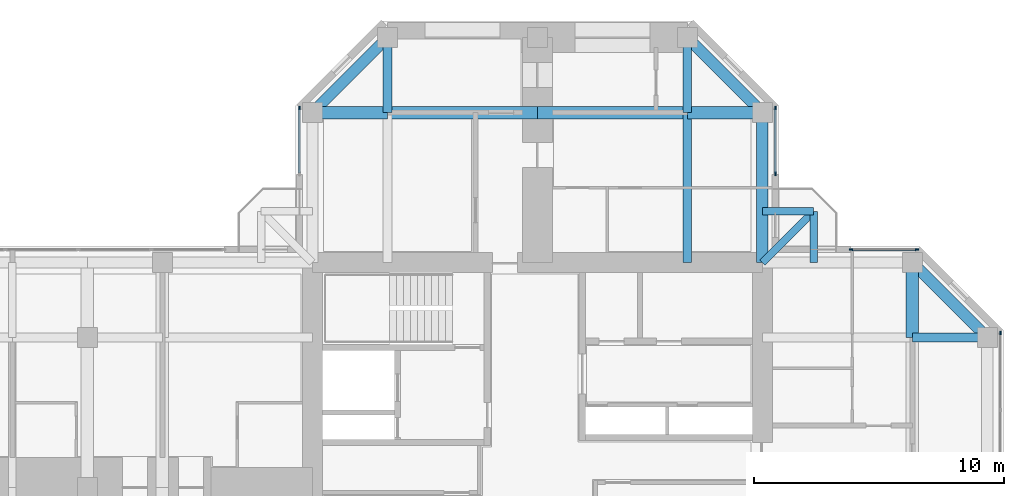
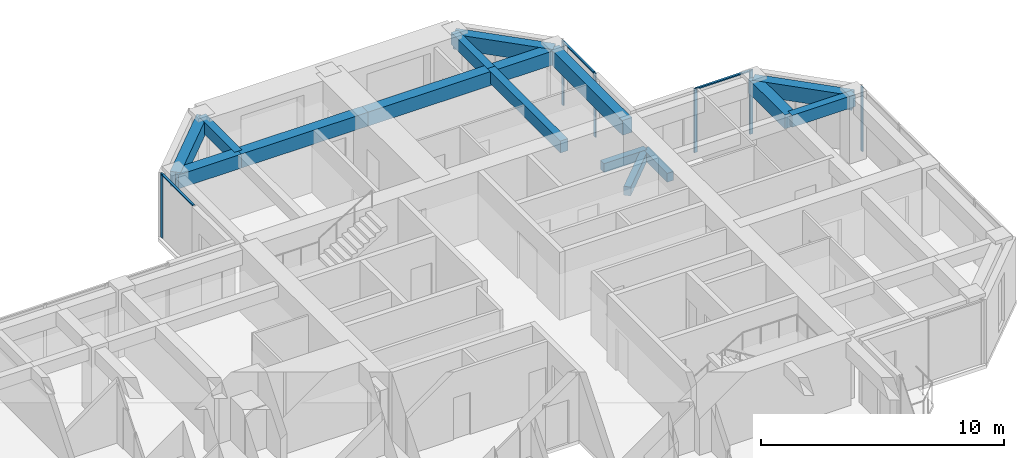
# One storey, part 6 of 13: 16 beams, 9 members, 4 elements without a shape of their own.
"""IFC4 building model written with IfcOpenShell, lengths in metres."""

from ifc_helpers import new_model, si_unit, direction, frame, origin, origin_2d, place, context, subcontext, project, spatial, rectangle, extrude, material, material_profile, profile_set, type_object, element, aggregate, save


model = new_model("IFC4")

# Units and contexts
model_context = context("Model", 3, precision=1e-05, world=origin(), true_north=direction((0.0, 1.0)))
body_context = subcontext(model_context, "Body", "Model", "MODEL_VIEW")
ifc_project = project(units=[si_unit("LENGTHUNIT", "METRE"), si_unit("AREAUNIT", "SQUARE_METRE"), si_unit("VOLUMEUNIT", "CUBIC_METRE"), si_unit("PLANEANGLEUNIT", "RADIAN"), si_unit("MASSUNIT", "GRAM", prefix="KILO")], contexts=[model_context])

# Site, building, storey
site_placement = place(None, origin())
site = spatial("IfcSite", under=ifc_project, at=site_placement, CompositionType="ELEMENT")
building_placement = place(site_placement, origin())
building = spatial("IfcBuilding", under=site, at=building_placement, Name="Torre Cruceta", CompositionType="ELEMENT")
storey_placement = place(building_placement, frame((0.0, 0.0, 245.89990234375)))
storey = spatial("IfcBuildingStorey", under=building, at=storey_placement, Name="L63", CompositionType="ELEMENT", Elevation=245.89990234375)

# Beams
ifc_material_1 = material(Name="Concrete G60 (fck 60 MPa)", Category="concrete")
ifc_material_profile_1 = material_profile(ifc_material_1, rectangle(XDim=0.300048828125, YDim=0.449951171875, at=origin_2d()), Name="RC 300X450")
ifc_profile_set_1 = profile_set([ifc_material_profile_1], Name="Concrete G60 (fck 60 MPa)")
beam_type_1 = type_object("IfcBeamType", Name="BALCONY CANTILEVER BEAM RC 300X450", PredefinedType="BEAM", material=ifc_profile_set_1)
beam_1_placement = place(storey_placement, frame((9.0, 9.0, -0.40478515625), z_axis=(0.707106781187, 0.707106781187, 0.0), x_axis=(-0.707106781187, 0.707106781187, 0.0)))
element("IfcBeam", 1, at=beam_1_placement, inside=storey, type_object=beam_type_1, Name="BB1 balcony beam L63 E", PredefinedType="BEAM", context=body_context, shape_type="SweptSolid", body=[
    extrude(rectangle(XDim=0.300048828125, YDim=0.449951171875, at=origin_2d()), origin(), (0.0, 0.0, 1.0), 2.89990234375),
])
for number, where, z_axis, x_axis, name in (
    (2, (11.050537109375, 9.0, -0.40478515625), (0.0, 1.0, 0.0), (-1.0, 0.0, 0.0), "BB1 balcony edge beam L63 E-X"),
    (3, (9.0, 11.050537109375, -0.40478515625), (1.0, 0.0, 0.0), (0.0, 1.0, 0.0), "BB1 balcony edge beam L63 E-Y"),
):
    element("IfcBeam", number, at=place(storey_placement, frame(where, z_axis=z_axis, x_axis=x_axis)), inside=storey, type_object=beam_type_1, Name=name, PredefinedType="BEAM", context=body_context, shape_type="SweptSolid", body=[
        extrude(rectangle(XDim=0.300048828125, YDim=0.449951171875, at=origin_2d()), origin(), (0.0, 0.0, 1.0), 2.050537109375),
    ])
ifc_material_2 = material(Name="Concrete G60 (fck 60 MPa)", Category="concrete")
ifc_material_profile_2 = material_profile(ifc_material_2, rectangle(XDim=0.35009765625, YDim=0.60009765625, at=origin_2d()), Name="RC 350X600")
ifc_profile_set_2 = profile_set([ifc_material_profile_2], Name="Concrete G60 (fck 60 MPa)")
beam_type_2 = type_object("IfcBeamType", Name="COLUMN LINE BEAM RC 350X600", PredefinedType="BEAM", material=ifc_profile_set_2)
beam_2_placement = place(storey_placement, frame((6.0, 9.0, 2.920166015625), z_axis=(0.0, 1.0, 0.0), x_axis=(-1.0, 0.0, 0.0)))
element("IfcBeam", 4, at=beam_2_placement, inside=storey, type_object=beam_type_2, Name="LB9 L63 N col- 1", PredefinedType="BEAM", context=body_context, shape_type="SweptSolid", body=[
    extrude(rectangle(XDim=0.35009765625, YDim=0.60009765625, at=origin_2d()), origin(), (0.0, 0.0, 1.0), 6.0),
])
for number, where, z_axis, x_axis, name in (
    (5, (6.0, 15.0, 2.920166015625), (0.0, 1.0, 0.0), (-1.0, 0.0, 0.0), "LB9 L63 N col- 2"),
    (6, (-6.0, 15.0, 2.920166015625), (0.0, 1.0, 0.0), (-1.0, 0.0, 0.0), "LB9 L63 N col+ 2"),
    (7, (15.0, 6.0, 2.920166015625), (1.0, 0.0, 0.0), (0.0, 1.0, 0.0), "LB9 L63 E col+ 2"),
):
    element("IfcBeam", number, at=place(storey_placement, frame(where, z_axis=z_axis, x_axis=x_axis)), inside=storey, type_object=beam_type_2, Name=name, PredefinedType="BEAM", context=body_context, shape_type="SweptSolid", body=[
        extrude(rectangle(XDim=0.35009765625, YDim=0.60009765625, at=origin_2d()), origin(), (0.0, 0.0, 1.0), 3.0),
    ])
ifc_material_3 = material(Name="Concrete G60 (fck 60 MPa)", Category="concrete")
ifc_material_profile_3 = material_profile(ifc_material_3, rectangle(XDim=0.5, YDim=0.699951171875, at=origin_2d()), Name="RC 500X700")
ifc_profile_set_3 = profile_set([ifc_material_profile_3], Name="Concrete G60 (fck 60 MPa)")
beam_type_3 = type_object("IfcBeamType", Name="CROSS BEAM RC 500X700", PredefinedType="BEAM", material=ifc_profile_set_3)
beam_3_placement = place(storey_placement, frame((9.0, 15.0, 2.8701171875), z_axis=(-1.0, 0.0, 0.0), x_axis=(0.0, -1.0, 0.0)))
element("IfcBeam", 8, at=beam_3_placement, inside=storey, type_object=beam_type_3, Name="GB7 L63 N cross15 1", PredefinedType="BEAM", context=body_context, shape_type="SweptSolid", body=[
    extrude(rectangle(XDim=0.5, YDim=0.699951171875, at=origin_2d()), origin(), (0.0, 0.0, 1.0), 3.0),
])
for number, where, z_axis, x_axis, name in (
    (9, (6.0, 15.0, 2.8701171875), (-1.0, 0.0, 0.0), (0.0, -1.0, 0.0), "GB7 L63 N cross15 2"),
    (10, (0.0, 15.0, 2.8701171875), (-1.0, 0.0, 0.0), (0.0, -1.0, 0.0), "GB7 L63 N cross15 3"),
):
    element("IfcBeam", number, at=place(storey_placement, frame(where, z_axis=z_axis, x_axis=x_axis)), inside=storey, type_object=beam_type_3, Name=name, PredefinedType="BEAM", context=body_context, shape_type="SweptSolid", body=[
        extrude(rectangle(XDim=0.5, YDim=0.699951171875, at=origin_2d()), origin(), (0.0, 0.0, 1.0), 6.0),
    ])
for number, where, z_axis, x_axis, name in (
    (11, (-6.0, 15.0, 2.8701171875), (-1.0, 0.0, 0.0), (0.0, -1.0, 0.0), "GB7 L63 N cross15 4"),
    (12, (15.0, 6.0, 2.8701171875), (0.0, 1.0, 0.0), (-1.0, 0.0, 0.0), "GB7 L63 E cross15 4"),
):
    element("IfcBeam", number, at=place(storey_placement, frame(where, z_axis=z_axis, x_axis=x_axis)), inside=storey, type_object=beam_type_3, Name=name, PredefinedType="BEAM", context=body_context, shape_type="SweptSolid", body=[
        extrude(rectangle(XDim=0.5, YDim=0.699951171875, at=origin_2d()), origin(), (0.0, 0.0, 1.0), 3.0),
    ])

# Curtain wall, member
ifc_material_4 = material(Name="Aluminium unitised curtain wall", Category="aluminium")
curtain_wall_type = type_object("IfcCurtainWallType", Name="CURTAIN WALL CW-D CO-LIVING UPPER", PredefinedType="USERDEFINED", material=ifc_material_4)
curtain_wall_1_placement = place(storey_placement, origin())
curtain_wall_1 = element("IfcCurtainWall", 13, at=curtain_wall_1_placement, inside=storey, type_object=curtain_wall_type, Name="CW-D L63 E tip 02", ObjectType="UNITISED", PredefinedType="USERDEFINED")
ifc_material_5 = material(Name="Aluminium mullion", Category="aluminium")
ifc_material_profile_4 = material_profile(ifc_material_5, rectangle(XDim=0.06005859375, YDim=0.14990234375, at=origin_2d()), Name="AL 60X150")
ifc_profile_set_4 = profile_set([ifc_material_profile_4], Name="Aluminium mullion")
member_type_1 = type_object("IfcMemberType", Name="CW-D MULLION 60X150", PredefinedType="MULLION", material=ifc_profile_set_4)
member_1_placement = place(storey_placement, frame((18.52001953125, 6.185302734375, 0.0), z_axis=(0.0, 0.0, 1.0), x_axis=(-1.0, 0.0, 0.0)))
member_1 = element("IfcMember", 14, at=member_1_placement, type_object=member_type_1, Name="CW-D mullion 5", PredefinedType="MULLION", context=body_context, shape_type="SweptSolid", body=[
    extrude(rectangle(XDim=0.06005859375, YDim=0.14990234375, at=origin_2d()), origin(), (0.0, 0.0, 1.0), 3.22021484375),
])
aggregate(curtain_wall_1, [member_1])

# Curtain wall, members
curtain_wall_2_placement = place(storey_placement, origin())
curtain_wall_2 = element("IfcCurtainWall", 15, at=curtain_wall_2_placement, inside=storey, type_object=curtain_wall_type, Name="CW-D L63 E side 04", ObjectType="UNITISED", PredefinedType="USERDEFINED")
member_2_placement = place(storey_placement, frame((15.185302734375, 9.52001953125, 0.0), z_axis=(0.0, 0.0, 1.0), x_axis=(0.0, -1.0, 0.0)))
member_2 = element("IfcMember", 16, at=member_2_placement, type_object=member_type_1, Name="CW-D mullion 1", PredefinedType="MULLION", context=body_context, shape_type="SweptSolid", body=[
    extrude(rectangle(XDim=0.06005859375, YDim=0.14990234375, at=origin_2d()), origin(), (0.0, 0.0, 1.0), 3.22021484375),
])
member_3_placement = place(storey_placement, frame((12.550048828125, 9.52001953125, 0.0), z_axis=(0.0, 0.0, 1.0), x_axis=(0.0, -1.0, 0.0)))
member_3 = element("IfcMember", 17, at=member_3_placement, type_object=member_type_1, Name="CW-D mullion 2", PredefinedType="MULLION", context=body_context, shape_type="SweptSolid", body=[
    extrude(rectangle(XDim=0.06005859375, YDim=0.14990234375, at=origin_2d()), origin(), (0.0, 0.0, 1.0), 3.22021484375),
])

curtain_wall_3_placement = place(storey_placement, origin())
curtain_wall_3 = element("IfcCurtainWall", 18, at=curtain_wall_3_placement, inside=storey, type_object=curtain_wall_type, Name="CW-D L63 N side 05", ObjectType="UNITISED", PredefinedType="USERDEFINED")
member_4_placement = place(storey_placement, frame((9.52001953125, 12.550048828125, 0.0), z_axis=(0.0, 0.0, 1.0), x_axis=(-1.0, 0.0, 0.0)))
member_4 = element("IfcMember", 19, at=member_4_placement, type_object=member_type_1, Name="CW-D mullion 1", PredefinedType="MULLION", context=body_context, shape_type="SweptSolid", body=[
    extrude(rectangle(XDim=0.06005859375, YDim=0.14990234375, at=origin_2d()), origin(), (0.0, 0.0, 1.0), 3.22021484375),
])
member_5_placement = place(storey_placement, frame((9.52001953125, 15.185302734375, 0.0), z_axis=(0.0, 0.0, 1.0), x_axis=(-1.0, 0.0, 0.0)))
member_5 = element("IfcMember", 20, at=member_5_placement, type_object=member_type_1, Name="CW-D mullion 2", PredefinedType="MULLION", context=body_context, shape_type="SweptSolid", body=[
    extrude(rectangle(XDim=0.06005859375, YDim=0.14990234375, at=origin_2d()), origin(), (0.0, 0.0, 1.0), 3.22021484375),
])

# Curtain wall, member
curtain_wall_4_placement = place(storey_placement, origin())
curtain_wall_4 = element("IfcCurtainWall", 21, at=curtain_wall_4_placement, inside=storey, type_object=curtain_wall_type, Name="CW-D L63 N side 09", ObjectType="UNITISED", PredefinedType="USERDEFINED")
member_6_placement = place(storey_placement, frame((-9.52001953125, 15.185302734375, 0.0), z_axis=(0.0, 0.0, 1.0), x_axis=(1.0, 0.0, 0.0)))
member_6 = element("IfcMember", 22, at=member_6_placement, type_object=member_type_1, Name="CW-D mullion 1", PredefinedType="MULLION", context=body_context, shape_type="SweptSolid", body=[
    extrude(rectangle(XDim=0.06005859375, YDim=0.14990234375, at=origin_2d()), origin(), (0.0, 0.0, 1.0), 3.22021484375),
])

# Member
ifc_material_6 = material(Name="Aluminium transom", Category="aluminium")
ifc_material_profile_5 = material_profile(ifc_material_6, rectangle(XDim=0.10009765625, YDim=0.06005859375, at=origin_2d()), Name="AL 100X60")
ifc_profile_set_5 = profile_set([ifc_material_profile_5], Name="Aluminium transom")
member_type_2 = type_object("IfcMemberType", Name="CW-D TRANSOM 60X100", PredefinedType="USERDEFINED", material=ifc_profile_set_5)
member_7_placement = place(storey_placement, frame((15.1552734375, 9.52001953125, 3.190185546875), z_axis=(-1.0, 0.0, 0.0), x_axis=(0.0, -1.0, 0.0)))
member_7 = element("IfcMember", 23, at=member_7_placement, type_object=member_type_2, Name="CW-D transom 1", ObjectType="TRANSOM", PredefinedType="USERDEFINED", context=body_context, shape_type="SweptSolid", body=[
    extrude(rectangle(XDim=0.10009765625, YDim=0.06005859375, at=origin_2d()), origin(), (0.0, 0.0, 1.0), 2.5751953125),
])

aggregate(curtain_wall_2, [member_2, member_3, member_7])

member_8_placement = place(storey_placement, frame((9.52001953125, 12.580078125, 3.190185546875), z_axis=(0.0, 1.0, 0.0), x_axis=(-1.0, 0.0, 0.0)))
member_8 = element("IfcMember", 24, at=member_8_placement, type_object=member_type_2, Name="CW-D transom 1", ObjectType="TRANSOM", PredefinedType="USERDEFINED", context=body_context, shape_type="SweptSolid", body=[
    extrude(rectangle(XDim=0.10009765625, YDim=0.06005859375, at=origin_2d()), origin(), (0.0, 0.0, 1.0), 2.5751953125),
])

aggregate(curtain_wall_3, [member_4, member_5, member_8])

member_9_placement = place(storey_placement, frame((-9.52001953125, 15.1552734375, 3.190185546875), z_axis=(0.0, -1.0, 0.0), x_axis=(1.0, 0.0, 0.0)))
member_9 = element("IfcMember", 25, at=member_9_placement, type_object=member_type_2, Name="CW-D transom 1", ObjectType="TRANSOM", PredefinedType="USERDEFINED", context=body_context, shape_type="SweptSolid", body=[
    extrude(rectangle(XDim=0.10009765625, YDim=0.06005859375, at=origin_2d()), origin(), (0.0, 0.0, 1.0), 2.5751953125),
])

aggregate(curtain_wall_4, [member_6, member_9])

# Beams
ifc_material_7 = material(Name="Concrete G60 (fck 60 MPa)", Category="concrete")
ifc_material_profile_6 = material_profile(ifc_material_7, rectangle(XDim=0.449951171875, YDim=0.75, at=origin_2d()), Name="RC 450X750")
ifc_profile_set_6 = profile_set([ifc_material_profile_6], Name="Concrete G60 (fck 60 MPa)")
beam_type_4 = type_object("IfcBeamType", Name="SPANDREL BEAM RC 450X750", PredefinedType="SPANDREL", material=ifc_profile_set_6)
beam_4_placement = place(storey_placement, frame((9.0, 9.0, 2.84521484375), z_axis=(0.0, 1.0, 0.0), x_axis=(-1.0, 0.0, 0.0)))
element("IfcBeam", 26, at=beam_4_placement, inside=storey, type_object=beam_type_4, Name="SB7 L63 N side- 1", PredefinedType="SPANDREL", context=body_context, shape_type="SweptSolid", body=[
    extrude(rectangle(XDim=0.449951171875, YDim=0.75, at=origin_2d()), origin(), (0.0, 0.0, 1.0), 6.0),
])
for number, where, z_axis, x_axis, name in (
    (27, (9.0, 15.0, 2.84521484375), (-0.707106781187, 0.707106781187, 0.0), (-0.707106781187, -0.707106781187, 0.0), "SB7 L63 N side- 2"),
    (28, (-9.0, 15.0, 2.84521484375), (0.707106781187, 0.707106781187, 0.0), (-0.707106781187, 0.707106781187, 0.0), "SB7 L63 N side+ 2"),
    (29, (15.0, 9.0, 2.84521484375), (0.707106781187, -0.707106781187, 0.0), (0.707106781187, 0.707106781187, 0.0), "SB7 L63 E side+ 2"),
):
    element("IfcBeam", number, at=place(storey_placement, frame(where, z_axis=z_axis, x_axis=x_axis)), inside=storey, type_object=beam_type_4, Name=name, PredefinedType="SPANDREL", context=body_context, shape_type="SweptSolid", body=[
        extrude(rectangle(XDim=0.449951171875, YDim=0.75, at=origin_2d()), origin(), (0.0, 0.0, 1.0), 4.24267578125),
    ])

save(model, "model.ifc")
